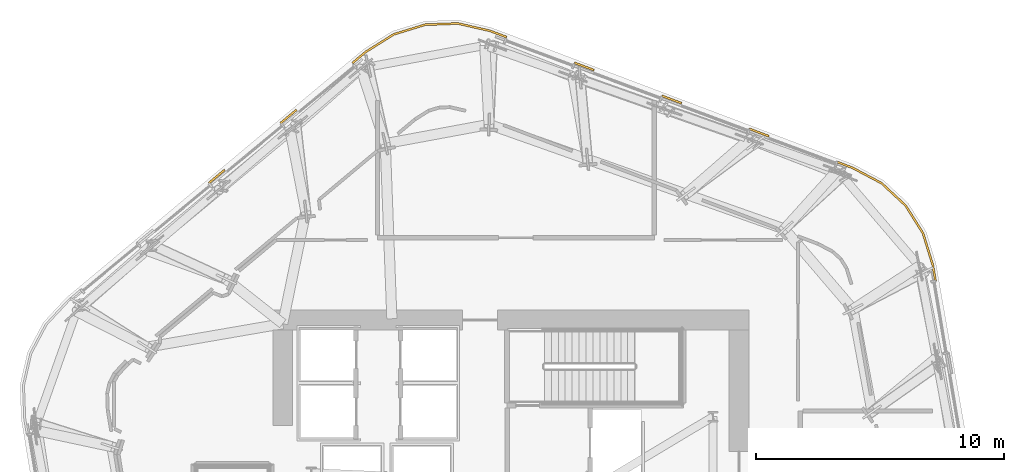
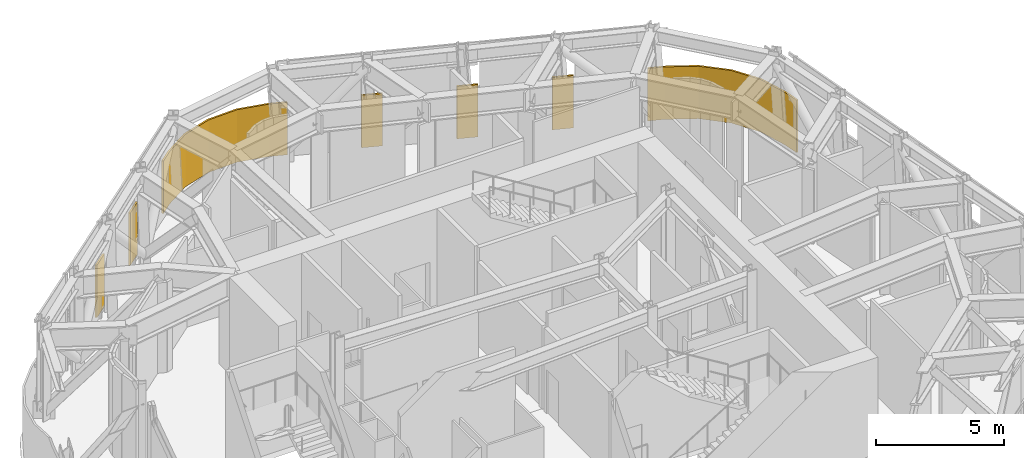
# One storey, part 16 of 16: 7 coverings.
"""IFC4 building model written with IfcOpenShell, lengths in metres."""

from ifc_helpers import new_model, si_unit, direction, frame, origin, place, context, subcontext, project, spatial, polyline, outline, extrude, material, layer, layer_set, type_object, element, save


model = new_model("IFC4")

# Units and contexts
model_context = context("Model", 3, precision=1e-05, world=origin(), true_north=direction((0.0, 1.0)))
body_context = subcontext(model_context, "Body", "Model", "MODEL_VIEW")
ifc_project = project(units=[si_unit("LENGTHUNIT", "METRE"), si_unit("AREAUNIT", "SQUARE_METRE"), si_unit("VOLUMEUNIT", "CUBIC_METRE"), si_unit("PLANEANGLEUNIT", "RADIAN"), si_unit("MASSUNIT", "GRAM", prefix="KILO")], contexts=[model_context])

# Site, building, storey
site_placement = place(None, origin())
site = spatial("IfcSite", under=ifc_project, at=site_placement, CompositionType="ELEMENT")
building_placement = place(site_placement, origin())
building = spatial("IfcBuilding", under=site, at=building_placement, Name="Valkerne Bourse Tower", CompositionType="ELEMENT")
storey_placement = place(building_placement, frame((0.0, 0.0, 193.199951171875)))
storey = spatial("IfcBuildingStorey", under=building, at=storey_placement, Name="L49", CompositionType="ELEMENT", Elevation=193.199951171875)

# Coverings
ifc_material = material(Name="Bronze Anodised Aluminium AA 6063-T6", Category="aluminium")
ifc_layer = layer(ifc_material, 0.06005859375)
ifc_layer_set = layer_set([ifc_layer], Name="Bronze Anodised Aluminium AA 6063-T6")
covering_type = type_object("IfcCoveringType", Name="COV-CRN-ALUM", PredefinedType="CLADDING", material=ifc_layer_set)
covering_1_placement = place(storey_placement, origin())
element("IfcCovering", 1, at=covering_1_placement, inside=storey, type_object=covering_type, Name="L49 Wind-Shaped Corner Aluminium Cladding 15", PredefinedType="CLADDING", context=body_context, shape_type="SweptSolid", body=[
    extrude(outline(polyline([(35.236572265625, 41.63671875), (35.28759765625, 41.5751953125), (34.643310546875, 41.036376953125), (34.59228515625, 41.097900390625), (35.236572265625, 41.63671875)])), origin(), (0.0, 0.0, 1.0), 2.5),
])
covering_2_placement = place(storey_placement, origin())
element("IfcCovering", 2, at=covering_2_placement, inside=storey, type_object=covering_type, Name="L49 Wind-Shaped Corner Aluminium Cladding 16", PredefinedType="CLADDING", context=body_context, shape_type="SweptSolid", body=[
    extrude(outline(polyline([(38.1298828125, 44.055419921875), (38.180908203125, 43.993896484375), (37.536376953125, 43.455078125), (37.4853515625, 43.5166015625), (38.1298828125, 44.055419921875)])), origin(), (0.0, 0.0, 1.0), 2.5),
])
covering_3_placement = place(storey_placement, origin())
element("IfcCovering", 3, at=covering_3_placement, inside=storey, type_object=covering_type, Name="L49 Wind-Shaped Corner Aluminium Cladding 17", PredefinedType="CLADDING", context=body_context, shape_type="SweptSolid", body=[
    extrude(outline(polyline([(40.927978515625, 46.394775390625), (42.060791015625, 47.10546875), (43.333251953125, 47.496826171875), (44.66357421875, 47.545654296875), (45.96728515625, 47.2470703125), (46.63720703125, 46.993896484375), (46.609130859375, 46.9189453125), (45.944091796875, 47.17041015625), (44.656005859375, 47.46533203125), (43.3466796875, 47.417236328125), (42.094482421875, 47.031982421875), (40.97509765625, 46.329833984375), (40.429443359375, 45.873779296875), (40.37841796875, 45.935302734375), (40.927978515625, 46.394775390625)])), origin(), (0.0, 0.0, 1.0), 2.5),
])
covering_4_placement = place(storey_placement, origin())
element("IfcCovering", 4, at=covering_4_placement, inside=storey, type_object=covering_type, Name="L49 Wind-Shaped Corner Aluminium Cladding 18", PredefinedType="CLADDING", context=body_context, shape_type="SweptSolid", body=[
    extrude(outline(polyline([(50.164794921875, 45.6611328125), (50.136962890625, 45.586181640625), (49.35107421875, 45.883056640625), (49.37890625, 45.9580078125), (50.164794921875, 45.6611328125)])), origin(), (0.0, 0.0, 1.0), 2.5),
])
covering_5_placement = place(storey_placement, origin())
element("IfcCovering", 5, at=covering_5_placement, inside=storey, type_object=covering_type, Name="L49 Wind-Shaped Corner Aluminium Cladding 19", PredefinedType="CLADDING", context=body_context, shape_type="SweptSolid", body=[
    extrude(outline(polyline([(53.6923828125, 44.32861328125), (53.66455078125, 44.25341796875), (52.87890625, 44.55029296875), (52.90673828125, 44.62548828125), (53.6923828125, 44.32861328125)])), origin(), (0.0, 0.0, 1.0), 2.5),
])
covering_6_placement = place(storey_placement, origin())
element("IfcCovering", 6, at=covering_6_placement, inside=storey, type_object=covering_type, Name="L49 Wind-Shaped Corner Aluminium Cladding 20", PredefinedType="CLADDING", context=body_context, shape_type="SweptSolid", body=[
    extrude(outline(polyline([(57.22021484375, 42.995849609375), (57.1923828125, 42.9208984375), (56.406494140625, 43.2177734375), (56.434326171875, 43.292724609375), (57.22021484375, 42.995849609375)])), origin(), (0.0, 0.0, 1.0), 2.5),
])
covering_7_placement = place(storey_placement, origin())
element("IfcCovering", 7, at=covering_7_placement, inside=storey, type_object=covering_type, Name="L49 Wind-Shaped Corner Aluminium Cladding 21", PredefinedType="CLADDING", context=body_context, shape_type="SweptSolid", body=[
    extrude(outline(polyline([(60.587890625, 41.723388671875), (61.7705078125, 41.097412109375), (62.74560546875, 40.19140625), (63.452880859375, 39.063720703125), (63.846435546875, 37.784912109375), (63.961181640625, 37.125732421875), (63.882568359375, 37.1123046875), (63.768310546875, 37.76611328125), (63.37939453125, 39.030029296875), (62.683349609375, 40.139892578125), (61.7236328125, 41.031494140625), (60.554931640625, 41.650390625), (59.934326171875, 41.885009765625), (59.962158203125, 41.9599609375), (60.587890625, 41.723388671875)])), origin(), (0.0, 0.0, 1.0), 2.5),
])

save(model, "model.ifc")
